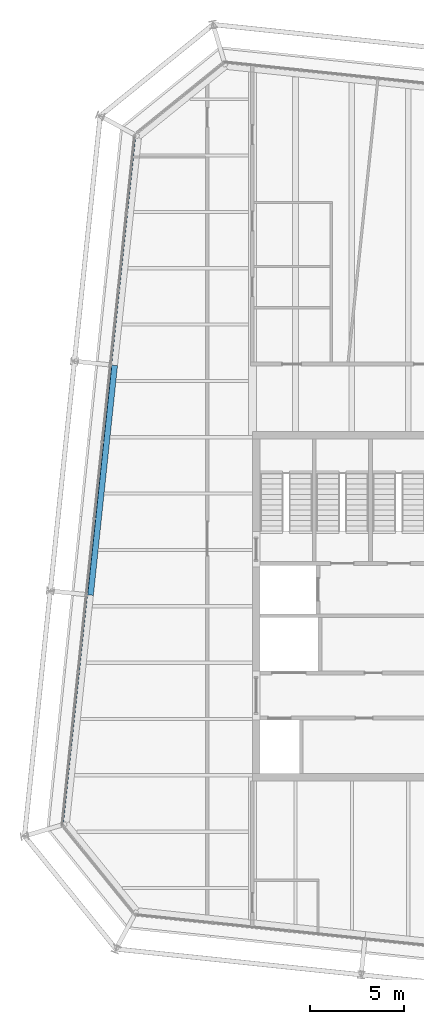
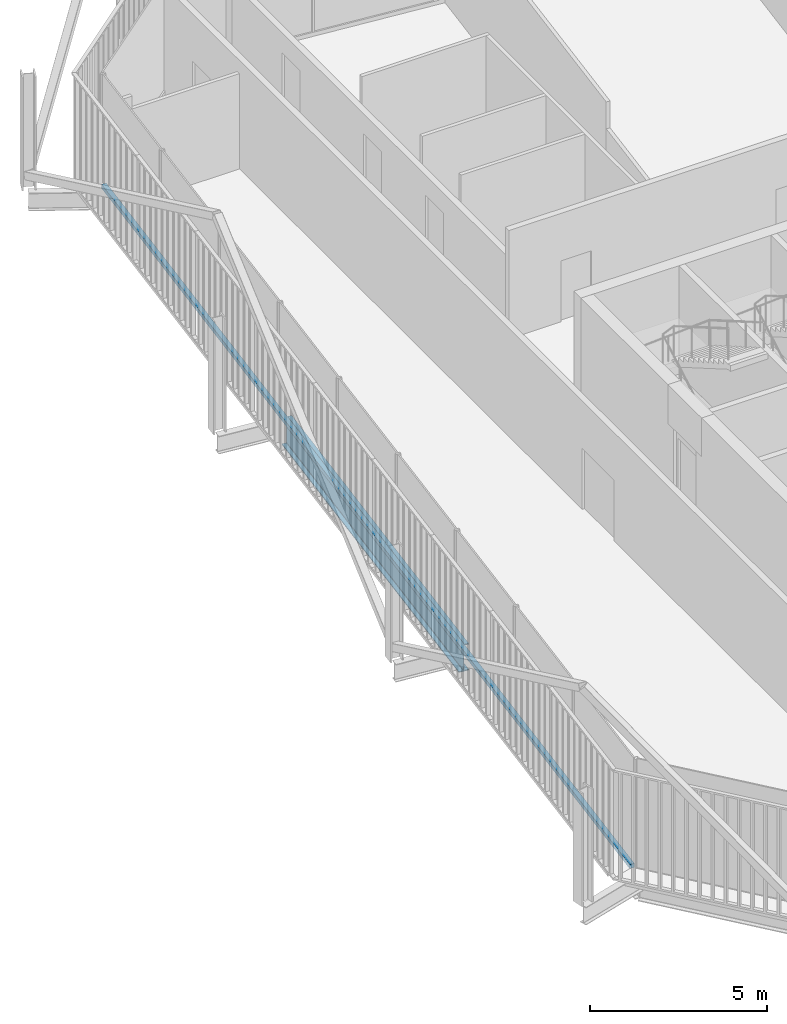
# One storey, part 7 of 21: 1 beam, 1 member, 1 element without a shape of its own.
"""IFC4 building model written with IfcOpenShell, lengths in metres."""

from ifc_helpers import new_model, si_unit, direction, frame, origin, origin_2d, place, context, subcontext, project, spatial, rectangle, i_section, extrude, material, layer, layer_set, material_profile, profile_set, type_object, element, aggregate, save


model = new_model("IFC4")

# Units and contexts
model_context = context("Model", 3, precision=1e-05, world=origin(), true_north=direction((0.0, 1.0)))
body_context = subcontext(model_context, "Body", "Model", "MODEL_VIEW")
ifc_project = project(units=[si_unit("LENGTHUNIT", "METRE"), si_unit("AREAUNIT", "SQUARE_METRE"), si_unit("VOLUMEUNIT", "CUBIC_METRE"), si_unit("PLANEANGLEUNIT", "RADIAN"), si_unit("MASSUNIT", "GRAM", prefix="KILO")], contexts=[model_context])

# Site, building, storey
site_placement = place(None, origin())
site = spatial("IfcSite", under=ifc_project, at=site_placement, CompositionType="ELEMENT")
building_placement = place(site_placement, origin())
building = spatial("IfcBuilding", under=site, at=building_placement, Name="Millrace Tower", CompositionType="ELEMENT")
storey_placement = place(building_placement, frame((0.0, 0.0, 334.300048828125)))
storey = spatial("IfcBuildingStorey", under=building, at=storey_placement, Name="L77", CompositionType="ELEMENT", Elevation=334.300048828125)

# Curtain wall, member
ifc_material_1 = material(Name="Aluminium and glass", Category="aluminium")
ifc_layer = layer(ifc_material_1, 0.14990234375)
ifc_layer_set = layer_set([ifc_layer], Name="Aluminium and glass")
curtain_wall_type = type_object("IfcCurtainWallType", Name="CW-1 office vision curtain wall", PredefinedType="NOTDEFINED", material=ifc_layer_set)
curtain_wall_placement = place(storey_placement, origin())
curtain_wall = element("IfcCurtainWall", 1, at=curtain_wall_placement, inside=storey, type_object=curtain_wall_type, Name="Curtain wall E-F08 L77", PredefinedType="NOTDEFINED")
ifc_material_2 = material(Name="Aluminium", Category="aluminium")
ifc_material_profile_1 = material_profile(ifc_material_2, rectangle(XDim=0.14990234375, YDim=0.139892578125, at=origin_2d()))
ifc_profile_set_1 = profile_set([ifc_material_profile_1], Name="Aluminium")
member_type = type_object("IfcMemberType", Name="CW-1 office vision curtain wall transom", PredefinedType="USERDEFINED", material=ifc_profile_set_1)
member_placement = place(storey_placement, frame((-20.581787109375, 24.9853515625, 0.070068359375), z_axis=(-0.104527916025, -0.994521952886, 0.0), x_axis=(0.994521952886, -0.104527916025, 0.0)))
member = element("IfcMember", 2, at=member_placement, type_object=member_type, Name="CW1 transom E-F08.1", ObjectType="TRANSOM", PredefinedType="USERDEFINED", context=body_context, shape_type="SweptSolid", body=[
    extrude(rectangle(XDim=0.14990234375, YDim=0.139892578125, at=origin_2d()), origin(), (0.0, 0.0, 1.0), 36.699951171875),
])
aggregate(curtain_wall, [member])

# Beam
ifc_material_3 = material(Name="Steel ASTM A992 Grade 50", Category="steel")
ifc_material_profile_2 = material_profile(ifc_material_3, i_section(OverallWidth=0.307373046875, OverallDepth=0.927001953125, WebThickness=0.01953125, FlangeThickness=0.031982421875, FilletRadius=0.01904296875, at=origin_2d()))
ifc_profile_set_2 = profile_set([ifc_material_profile_2], Name="Steel ASTM A992 Grade 50")
beam_type = type_object("IfcBeamType", Name="Ring beam medium span W36x194", PredefinedType="SPANDREL", material=ifc_profile_set_2)
beam_placement = place(storey_placement, frame((-22.915283203125, 0.595703125, -0.62353515625), z_axis=(0.104523600289, 0.994522406476, 0.0), x_axis=(-0.994522406476, 0.104523600289, 0.0)))
element("IfcBeam", 3, at=beam_placement, inside=storey, type_object=beam_type, Name="RNG-E-L77-S1-02", PredefinedType="SPANDREL", context=body_context, shape_type="SweptSolid", body=[
    extrude(i_section(OverallWidth=0.307373046875, OverallDepth=0.927001953125, WebThickness=0.01953125, FlangeThickness=0.031982421875, FilletRadius=0.01904296875, at=origin_2d()), origin(), (0.0, 0.0, 1.0), 12.300048828125),
])

save(model, "model.ifc")
